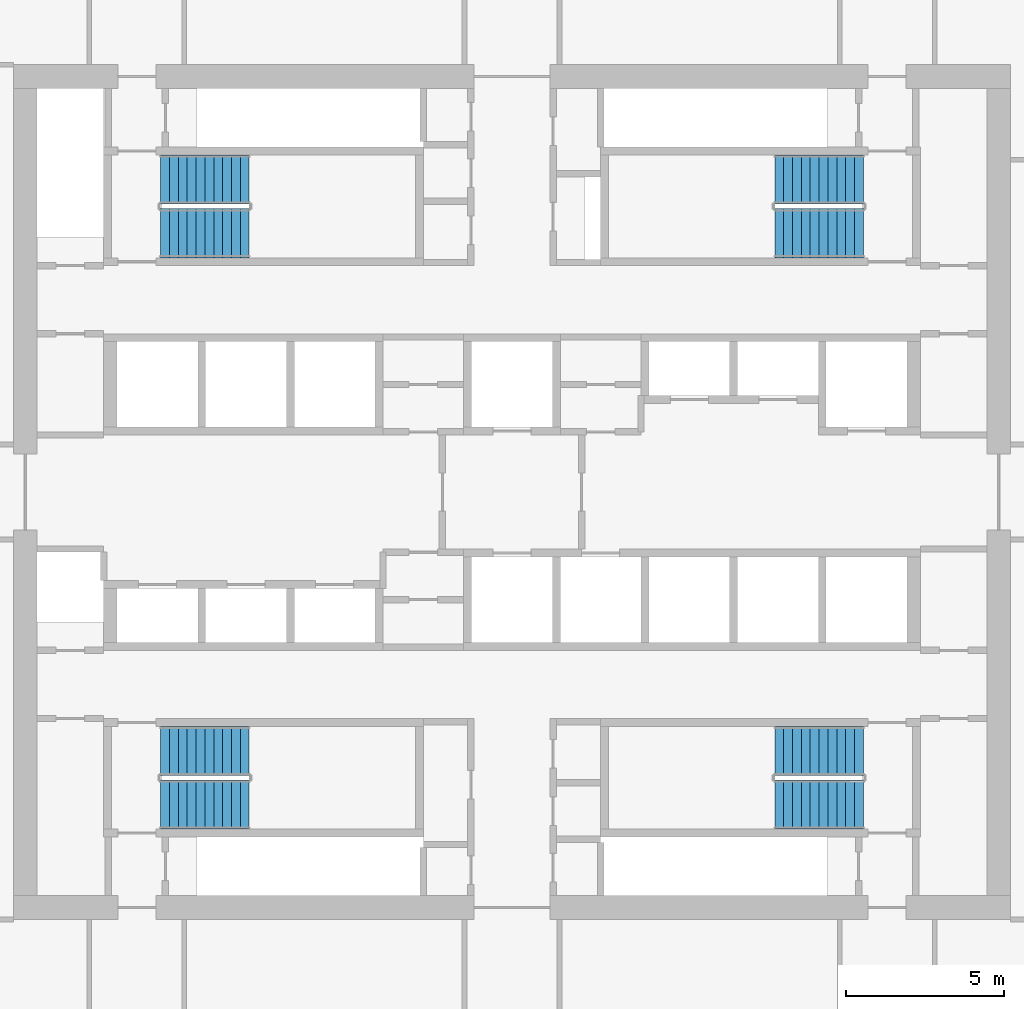
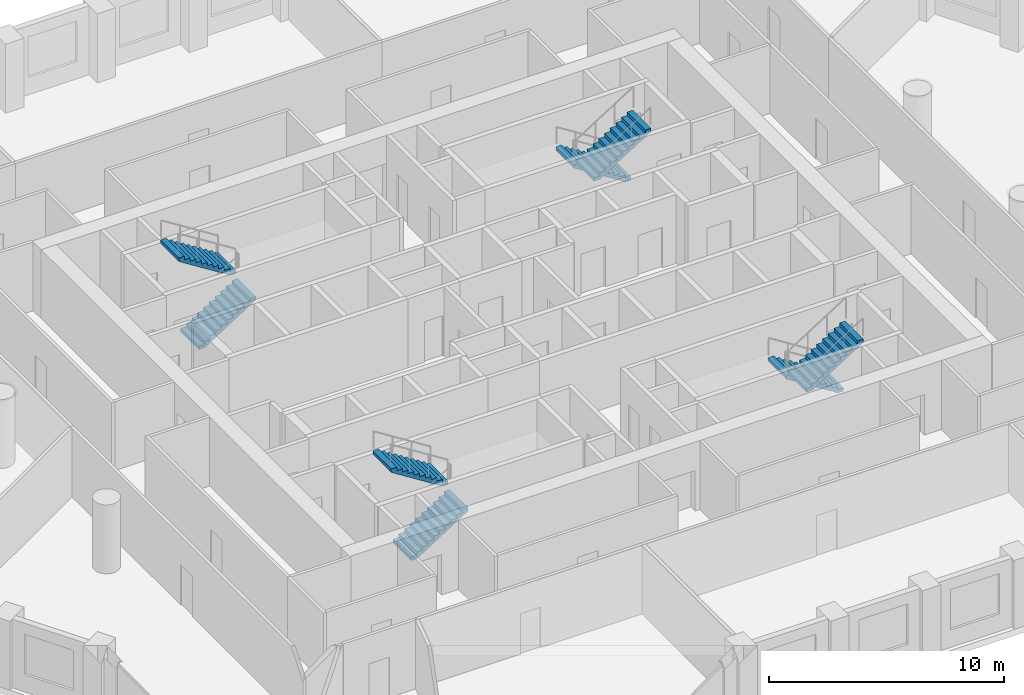
# One storey, part 9 of 14: 8 stair flights, 4 elements without a shape of their own.
"""IFC4 building model written with IfcOpenShell, lengths in metres."""

from ifc_helpers import new_model, si_unit, direction, frame, origin, place, context, subcontext, project, spatial, polyline, outline, extrude, material, type_object, element, aggregate, save


model = new_model("IFC4")

# Units and contexts
model_context = context("Model", 3, precision=1e-05, world=origin(), true_north=direction((0.0, 1.0)))
body_context = subcontext(model_context, "Body", "Model", "MODEL_VIEW")
ifc_project = project(units=[si_unit("LENGTHUNIT", "METRE"), si_unit("AREAUNIT", "SQUARE_METRE"), si_unit("VOLUMEUNIT", "CUBIC_METRE"), si_unit("PLANEANGLEUNIT", "RADIAN"), si_unit("MASSUNIT", "GRAM", prefix="KILO")], contexts=[model_context])

# Site, building, storey
site_placement = place(None, origin())
site = spatial("IfcSite", under=ifc_project, at=site_placement, CompositionType="ELEMENT")
building_placement = place(site_placement, origin())
building = spatial("IfcBuilding", under=site, at=building_placement, Name="Dhurran Vertical Campus", CompositionType="ELEMENT")
storey_placement = place(building_placement, frame((0.0, 0.0, 140.39990234375)))
storey = spatial("IfcBuildingStorey", under=building, at=storey_placement, Name="L34", CompositionType="ELEMENT", Elevation=140.39990234375)

# Stair, stair flights
ifc_material_1 = material(Name="Concrete C40/50", Category="concrete")
stair_type = type_object("IfcStairType", Name="co-ST-CORE", PredefinedType="HALF_TURN_STAIR", material=ifc_material_1)
stair_1_placement = place(storey_placement, origin())
stair_1 = element("IfcStair", 1, at=stair_1_placement, inside=storey, type_object=stair_type, Name="L34 Protected exit stair ST1", PredefinedType="HALF_TURN_STAIR")
ifc_material_2 = material(Name="Concrete C40/50", Category="concrete")
stair_flight_type = type_object("IfcStairFlightType", Name="co-SFL-RC", PredefinedType="STRAIGHT", material=ifc_material_2)
stair_flight_1_placement = place(storey_placement, frame((-11.10009765625, 8.175048828125, 0.0), z_axis=(0.0, 0.0, 1.0), x_axis=(1.0, 0.0, 0.0)))
stair_flight_1 = element("IfcStairFlight", 2, at=stair_flight_1_placement, type_object=stair_flight_type, Name="ST1 flight 1", NumberOfRisers=11, NumberOfTreads=10, PredefinedType="STRAIGHT", RiserHeight=0.177272727, TreadLength=0.28, context=body_context, shape_type="SweptSolid", body=[
    extrude(outline(polyline([(0.0, 0.0), (0.0, 0.17724609375), (0.280029296875, 0.17724609375), (0.280029296875, 0.3544921875), (0.56005859375, 0.3544921875), (0.56005859375, 0.53173828125), (0.840087890625, 0.53173828125), (0.840087890625, 0.708984375), (1.1201171875, 0.708984375), (1.1201171875, 0.886474609375), (1.39990234375, 0.886474609375), (1.39990234375, 1.063720703125), (1.679931640625, 1.063720703125), (1.679931640625, 1.240966796875), (1.9599609375, 1.240966796875), (1.9599609375, 1.418212890625), (2.239990234375, 1.418212890625), (2.239990234375, 1.595458984375), (2.52001953125, 1.595458984375), (2.52001953125, 1.772705078125), (2.800048828125, 1.772705078125), (2.800048828125, 1.949951171875), (2.800048828125, 1.59521484375), (0.2802734375, 0.0), (0.0, 0.0)])), frame((0.0, 0.77490234375, 0.0), z_axis=(0.0, -1.0, 0.0), x_axis=(1.0, 0.0, 0.0)), (0.0, 0.0, 1.0), 1.550048828125),
])
stair_flight_2_placement = place(storey_placement, frame((-8.300048828125, 9.875, 1.9501953125), z_axis=(0.0, 0.0, 1.0), x_axis=(-1.0, 0.0, 0.0)))
stair_flight_2 = element("IfcStairFlight", 3, at=stair_flight_2_placement, type_object=stair_flight_type, Name="ST1 flight 2", NumberOfRisers=11, NumberOfTreads=10, PredefinedType="STRAIGHT", RiserHeight=0.177272727, TreadLength=0.28, context=body_context, shape_type="SweptSolid", body=[
    extrude(outline(polyline([(0.0, 0.0), (0.0, 0.17724609375), (0.280029296875, 0.17724609375), (0.280029296875, 0.3544921875), (0.56005859375, 0.3544921875), (0.56005859375, 0.53173828125), (0.840087890625, 0.53173828125), (0.840087890625, 0.708984375), (1.1201171875, 0.708984375), (1.1201171875, 0.886474609375), (1.39990234375, 0.886474609375), (1.39990234375, 1.063720703125), (1.679931640625, 1.063720703125), (1.679931640625, 1.240966796875), (1.9599609375, 1.240966796875), (1.9599609375, 1.418212890625), (2.239990234375, 1.418212890625), (2.239990234375, 1.595458984375), (2.52001953125, 1.595458984375), (2.52001953125, 1.772705078125), (2.800048828125, 1.772705078125), (2.800048828125, 1.949951171875), (2.800048828125, 1.59521484375), (0.2802734375, 0.0), (0.0, 0.0)])), frame((0.0, 0.77490234375, 0.0), z_axis=(0.0, -1.0, 0.0), x_axis=(1.0, 0.0, 0.0)), (0.0, 0.0, 1.0), 1.550048828125),
])
aggregate(stair_1, [stair_flight_1, stair_flight_2])

stair_2_placement = place(storey_placement, origin())
stair_2 = element("IfcStair", 4, at=stair_2_placement, inside=storey, type_object=stair_type, Name="L34 Protected exit stair ST2", PredefinedType="HALF_TURN_STAIR")
stair_flight_3_placement = place(storey_placement, frame((11.10009765625, 9.875, 0.0), z_axis=(0.0, 0.0, 1.0), x_axis=(-1.0, 0.0, 0.0)))
stair_flight_3 = element("IfcStairFlight", 5, at=stair_flight_3_placement, type_object=stair_flight_type, Name="ST2 flight 1", NumberOfRisers=11, NumberOfTreads=10, PredefinedType="STRAIGHT", RiserHeight=0.177272727, TreadLength=0.28, context=body_context, shape_type="SweptSolid", body=[
    extrude(outline(polyline([(0.0, 0.0), (0.0, 0.17724609375), (0.280029296875, 0.17724609375), (0.280029296875, 0.3544921875), (0.56005859375, 0.3544921875), (0.56005859375, 0.53173828125), (0.840087890625, 0.53173828125), (0.840087890625, 0.708984375), (1.1201171875, 0.708984375), (1.1201171875, 0.886474609375), (1.39990234375, 0.886474609375), (1.39990234375, 1.063720703125), (1.679931640625, 1.063720703125), (1.679931640625, 1.240966796875), (1.9599609375, 1.240966796875), (1.9599609375, 1.418212890625), (2.239990234375, 1.418212890625), (2.239990234375, 1.595458984375), (2.52001953125, 1.595458984375), (2.52001953125, 1.772705078125), (2.800048828125, 1.772705078125), (2.800048828125, 1.949951171875), (2.800048828125, 1.59521484375), (0.2802734375, 0.0), (0.0, 0.0)])), frame((0.0, 0.77490234375, 0.0), z_axis=(0.0, -1.0, 0.0), x_axis=(1.0, 0.0, 0.0)), (0.0, 0.0, 1.0), 1.550048828125),
])
stair_flight_4_placement = place(storey_placement, frame((8.300048828125, 8.175048828125, 1.9501953125), z_axis=(0.0, 0.0, 1.0), x_axis=(1.0, 0.0, 0.0)))
stair_flight_4 = element("IfcStairFlight", 6, at=stair_flight_4_placement, type_object=stair_flight_type, Name="ST2 flight 2", NumberOfRisers=11, NumberOfTreads=10, PredefinedType="STRAIGHT", RiserHeight=0.177272727, TreadLength=0.28, context=body_context, shape_type="SweptSolid", body=[
    extrude(outline(polyline([(0.0, 0.0), (0.0, 0.17724609375), (0.280029296875, 0.17724609375), (0.280029296875, 0.3544921875), (0.56005859375, 0.3544921875), (0.56005859375, 0.53173828125), (0.840087890625, 0.53173828125), (0.840087890625, 0.708984375), (1.1201171875, 0.708984375), (1.1201171875, 0.886474609375), (1.39990234375, 0.886474609375), (1.39990234375, 1.063720703125), (1.679931640625, 1.063720703125), (1.679931640625, 1.240966796875), (1.9599609375, 1.240966796875), (1.9599609375, 1.418212890625), (2.239990234375, 1.418212890625), (2.239990234375, 1.595458984375), (2.52001953125, 1.595458984375), (2.52001953125, 1.772705078125), (2.800048828125, 1.772705078125), (2.800048828125, 1.949951171875), (2.800048828125, 1.59521484375), (0.2802734375, 0.0), (0.0, 0.0)])), frame((0.0, 0.77490234375, 0.0), z_axis=(0.0, -1.0, 0.0), x_axis=(1.0, 0.0, 0.0)), (0.0, 0.0, 1.0), 1.550048828125),
])
aggregate(stair_2, [stair_flight_3, stair_flight_4])

stair_3_placement = place(storey_placement, origin())
stair_3 = element("IfcStair", 7, at=stair_3_placement, inside=storey, type_object=stair_type, Name="L34 Protected exit stair ST3", PredefinedType="HALF_TURN_STAIR")
stair_flight_5_placement = place(storey_placement, frame((-11.10009765625, -9.875, 0.0), z_axis=(0.0, 0.0, 1.0), x_axis=(1.0, 0.0, 0.0)))
stair_flight_5 = element("IfcStairFlight", 8, at=stair_flight_5_placement, type_object=stair_flight_type, Name="ST3 flight 1", NumberOfRisers=11, NumberOfTreads=10, PredefinedType="STRAIGHT", RiserHeight=0.177272727, TreadLength=0.28, context=body_context, shape_type="SweptSolid", body=[
    extrude(outline(polyline([(0.0, 0.0), (0.0, 0.17724609375), (0.280029296875, 0.17724609375), (0.280029296875, 0.3544921875), (0.56005859375, 0.3544921875), (0.56005859375, 0.53173828125), (0.840087890625, 0.53173828125), (0.840087890625, 0.708984375), (1.1201171875, 0.708984375), (1.1201171875, 0.886474609375), (1.39990234375, 0.886474609375), (1.39990234375, 1.063720703125), (1.679931640625, 1.063720703125), (1.679931640625, 1.240966796875), (1.9599609375, 1.240966796875), (1.9599609375, 1.418212890625), (2.239990234375, 1.418212890625), (2.239990234375, 1.595458984375), (2.52001953125, 1.595458984375), (2.52001953125, 1.772705078125), (2.800048828125, 1.772705078125), (2.800048828125, 1.949951171875), (2.800048828125, 1.59521484375), (0.2802734375, 0.0), (0.0, 0.0)])), frame((0.0, 0.77490234375, 0.0), z_axis=(0.0, -1.0, 0.0), x_axis=(1.0, 0.0, 0.0)), (0.0, 0.0, 1.0), 1.550048828125),
])
stair_flight_6_placement = place(storey_placement, frame((-8.300048828125, -8.175048828125, 1.9501953125), z_axis=(0.0, 0.0, 1.0), x_axis=(-1.0, 0.0, 0.0)))
stair_flight_6 = element("IfcStairFlight", 9, at=stair_flight_6_placement, type_object=stair_flight_type, Name="ST3 flight 2", NumberOfRisers=11, NumberOfTreads=10, PredefinedType="STRAIGHT", RiserHeight=0.177272727, TreadLength=0.28, context=body_context, shape_type="SweptSolid", body=[
    extrude(outline(polyline([(0.0, 0.0), (0.0, 0.17724609375), (0.280029296875, 0.17724609375), (0.280029296875, 0.3544921875), (0.56005859375, 0.3544921875), (0.56005859375, 0.53173828125), (0.840087890625, 0.53173828125), (0.840087890625, 0.708984375), (1.1201171875, 0.708984375), (1.1201171875, 0.886474609375), (1.39990234375, 0.886474609375), (1.39990234375, 1.063720703125), (1.679931640625, 1.063720703125), (1.679931640625, 1.240966796875), (1.9599609375, 1.240966796875), (1.9599609375, 1.418212890625), (2.239990234375, 1.418212890625), (2.239990234375, 1.595458984375), (2.52001953125, 1.595458984375), (2.52001953125, 1.772705078125), (2.800048828125, 1.772705078125), (2.800048828125, 1.949951171875), (2.800048828125, 1.59521484375), (0.2802734375, 0.0), (0.0, 0.0)])), frame((0.0, 0.77490234375, 0.0), z_axis=(0.0, -1.0, 0.0), x_axis=(1.0, 0.0, 0.0)), (0.0, 0.0, 1.0), 1.550048828125),
])
aggregate(stair_3, [stair_flight_5, stair_flight_6])

stair_4_placement = place(storey_placement, origin())
stair_4 = element("IfcStair", 10, at=stair_4_placement, inside=storey, type_object=stair_type, Name="L34 Protected exit stair ST4", PredefinedType="HALF_TURN_STAIR")
stair_flight_7_placement = place(storey_placement, frame((11.10009765625, -8.175048828125, 0.0), z_axis=(0.0, 0.0, 1.0), x_axis=(-1.0, 0.0, 0.0)))
stair_flight_7 = element("IfcStairFlight", 11, at=stair_flight_7_placement, type_object=stair_flight_type, Name="ST4 flight 1", NumberOfRisers=11, NumberOfTreads=10, PredefinedType="STRAIGHT", RiserHeight=0.177272727, TreadLength=0.28, context=body_context, shape_type="SweptSolid", body=[
    extrude(outline(polyline([(0.0, 0.0), (0.0, 0.17724609375), (0.280029296875, 0.17724609375), (0.280029296875, 0.3544921875), (0.56005859375, 0.3544921875), (0.56005859375, 0.53173828125), (0.840087890625, 0.53173828125), (0.840087890625, 0.708984375), (1.1201171875, 0.708984375), (1.1201171875, 0.886474609375), (1.39990234375, 0.886474609375), (1.39990234375, 1.063720703125), (1.679931640625, 1.063720703125), (1.679931640625, 1.240966796875), (1.9599609375, 1.240966796875), (1.9599609375, 1.418212890625), (2.239990234375, 1.418212890625), (2.239990234375, 1.595458984375), (2.52001953125, 1.595458984375), (2.52001953125, 1.772705078125), (2.800048828125, 1.772705078125), (2.800048828125, 1.949951171875), (2.800048828125, 1.59521484375), (0.2802734375, 0.0), (0.0, 0.0)])), frame((0.0, 0.77490234375, 0.0), z_axis=(0.0, -1.0, 0.0), x_axis=(1.0, 0.0, 0.0)), (0.0, 0.0, 1.0), 1.550048828125),
])
stair_flight_8_placement = place(storey_placement, frame((8.300048828125, -9.875, 1.9501953125), z_axis=(0.0, 0.0, 1.0), x_axis=(1.0, 0.0, 0.0)))
stair_flight_8 = element("IfcStairFlight", 12, at=stair_flight_8_placement, type_object=stair_flight_type, Name="ST4 flight 2", NumberOfRisers=11, NumberOfTreads=10, PredefinedType="STRAIGHT", RiserHeight=0.177272727, TreadLength=0.28, context=body_context, shape_type="SweptSolid", body=[
    extrude(outline(polyline([(0.0, 0.0), (0.0, 0.17724609375), (0.280029296875, 0.17724609375), (0.280029296875, 0.3544921875), (0.56005859375, 0.3544921875), (0.56005859375, 0.53173828125), (0.840087890625, 0.53173828125), (0.840087890625, 0.708984375), (1.1201171875, 0.708984375), (1.1201171875, 0.886474609375), (1.39990234375, 0.886474609375), (1.39990234375, 1.063720703125), (1.679931640625, 1.063720703125), (1.679931640625, 1.240966796875), (1.9599609375, 1.240966796875), (1.9599609375, 1.418212890625), (2.239990234375, 1.418212890625), (2.239990234375, 1.595458984375), (2.52001953125, 1.595458984375), (2.52001953125, 1.772705078125), (2.800048828125, 1.772705078125), (2.800048828125, 1.949951171875), (2.800048828125, 1.59521484375), (0.2802734375, 0.0), (0.0, 0.0)])), frame((0.0, 0.77490234375, 0.0), z_axis=(0.0, -1.0, 0.0), x_axis=(1.0, 0.0, 0.0)), (0.0, 0.0, 1.0), 1.550048828125),
])
aggregate(stair_4, [stair_flight_7, stair_flight_8])

save(model, "model.ifc")
